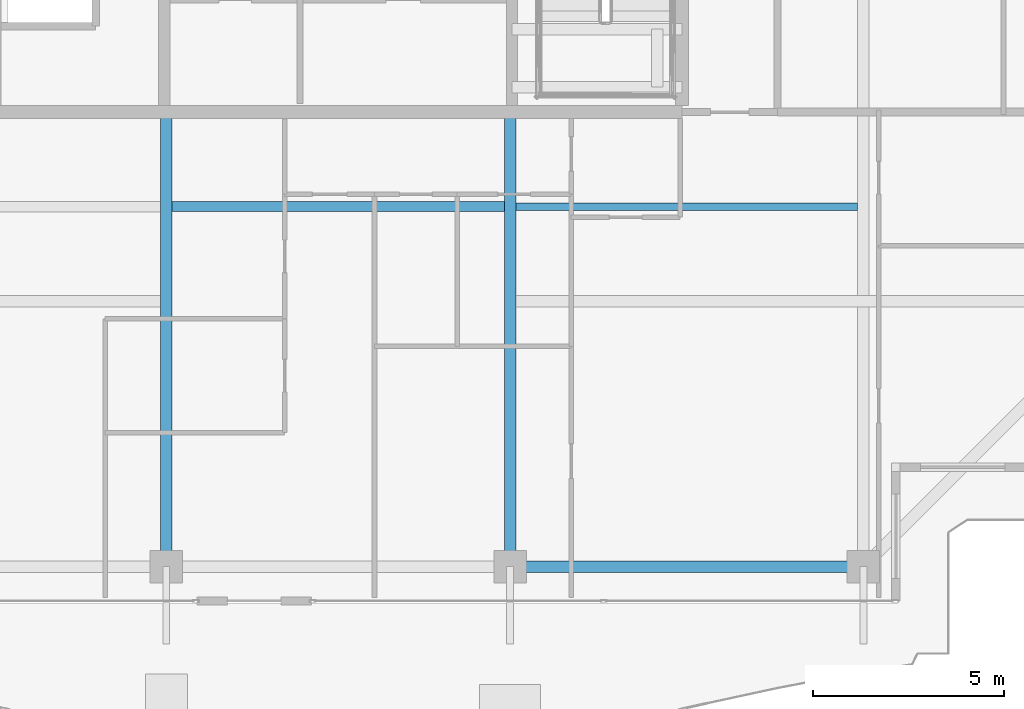
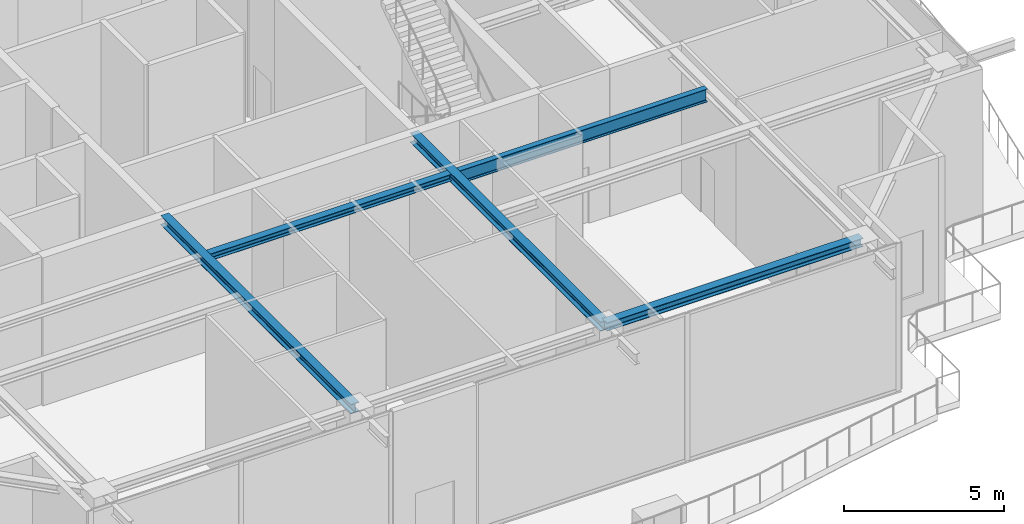
# One storey, part 7 of 38: 5 beams.
"""IFC4 building model written with IfcOpenShell, lengths in metres."""

from ifc_helpers import new_model, si_unit, direction, frame, origin, origin_2d, place, context, subcontext, project, spatial, i_section, extrude, source, transform, mapped, material, material_profile, profile_set, type_object, element, save


model = new_model("IFC4")

# Units and contexts
model_context = context("Model", 3, precision=1e-05, world=origin(), true_north=direction((0.0, 1.0)))
body_context = subcontext(model_context, "Body", "Model", "MODEL_VIEW")
ifc_project = project(units=[si_unit("LENGTHUNIT", "METRE"), si_unit("AREAUNIT", "SQUARE_METRE"), si_unit("VOLUMEUNIT", "CUBIC_METRE"), si_unit("PLANEANGLEUNIT", "RADIAN"), si_unit("MASSUNIT", "GRAM", prefix="KILO")], contexts=[model_context])

# Site, building, storey
site_placement = place(None, origin())
site = spatial("IfcSite", under=ifc_project, at=site_placement, CompositionType="ELEMENT")
building_placement = place(site_placement, origin())
building = spatial("IfcBuilding", under=site, at=building_placement, Name="Serunith Strait Residences", CompositionType="ELEMENT")
storey_placement = place(building_placement, frame((0.0, 0.0, 342.050048828125)))
storey = spatial("IfcBuildingStorey", under=building, at=storey_placement, Name="L85", CompositionType="ELEMENT", Elevation=342.050048828125)

# Beams
ifc_material = material(Name="Steel S355J2", Category="steel")
ifc_material_profile_1 = material_profile(ifc_material, i_section(OverallWidth=0.260009765625, OverallDepth=0.260009765625, WebThickness=0.010009765625, FlangeThickness=0.017578125, FilletRadius=0.02392578125, at=origin_2d()), Name="HEB 260")
ifc_profile_set_1 = profile_set([ifc_material_profile_1], Name="Steel S355J2")
beam_type_1 = type_object("IfcBeamType", Name="BM-HEB260", PredefinedType="JOIST", material=ifc_profile_set_1)
shared_shape_1 = source(origin(), body_context, "Body", "SweptSolid", [
    extrude(i_section(OverallWidth=0.260009765625, OverallDepth=0.260009765625, WebThickness=0.010009765625, FlangeThickness=0.017578125, FilletRadius=0.02392578125, at=origin_2d()), origin(), (0.0, 0.0, 1.0), 8.699951171875),
])
beam_1_placement = place(storey_placement, frame((28.050048828125, 14.324951171875, 5.5068359375), z_axis=(1.0, 0.0, 0.0), x_axis=(0.0, 1.0, 0.0)))
element("IfcBeam", 1, at=beam_1_placement, inside=storey, type_object=beam_type_1, Name="L85 Composite Floor Joist 02", PredefinedType="JOIST", context=body_context, shape_type="MappedRepresentation", body=[
    mapped(shared_shape_1, transform((0.0, 0.0, 0.0), scale=1.0)),
])
ifc_material_profile_2 = material_profile(ifc_material, i_section(OverallWidth=0.300048828125, OverallDepth=0.360107421875, WebThickness=0.012451171875, FlangeThickness=0.0224609375, FilletRadius=0.027099609375, at=origin_2d()), Name="HEB 360")
ifc_profile_set_2 = profile_set([ifc_material_profile_2], Name="Steel S355J2")
beam_type_2 = type_object("IfcBeamType", Name="BM-HEB360", PredefinedType="BEAM", material=ifc_profile_set_2)
shared_shape_2 = source(origin(), body_context, "Body", "SweptSolid", [
    extrude(i_section(OverallWidth=0.300048828125, OverallDepth=0.360107421875, WebThickness=0.012451171875, FlangeThickness=0.0224609375, FilletRadius=0.027099609375, at=origin_2d()), origin(), (0.0, 0.0, 1.0), 11.900146484375),
])
for number, where, z_axis, x_axis, name in (
    (2, (27.89990234375, 16.800048828125, 5.45703125), (0.0, -1.0, 0.0), (1.0, 0.0, 0.0), "L85 Primary Floor Girder TC-S2"),
    (3, (36.89990234375, 16.800048828125, 5.45703125), (0.0, -1.0, 0.0), (1.0, 0.0, 0.0), "L85 Primary Floor Girder TC-S3"),
):
    element("IfcBeam", number, at=place(storey_placement, frame(where, z_axis=z_axis, x_axis=x_axis)), inside=storey, type_object=beam_type_2, Name=name, PredefinedType="BEAM", context=body_context, shape_type="MappedRepresentation", body=[
        mapped(shared_shape_2, transform((0.0, 0.0, 0.0), scale=1.0)),
    ])
ifc_material_profile_3 = material_profile(ifc_material, i_section(OverallWidth=0.300048828125, OverallDepth=0.320068359375, WebThickness=0.011474609375, FlangeThickness=0.0205078125, FilletRadius=0.027099609375, at=origin_2d()), Name="HEB 320")
ifc_profile_set_3 = profile_set([ifc_material_profile_3], Name="Steel S355J2")
beam_type_3 = type_object("IfcBeamType", Name="BM-HEB320", PredefinedType="BEAM", material=ifc_profile_set_3)
shared_shape_3 = source(origin(), body_context, "Body", "SweptSolid", [
    extrude(i_section(OverallWidth=0.300048828125, OverallDepth=0.320068359375, WebThickness=0.011474609375, FlangeThickness=0.0205078125, FilletRadius=0.027099609375, at=origin_2d()), origin(), (0.0, 0.0, 1.0), 9.25),
])
beam_2_placement = place(storey_placement, frame((36.89990234375, 4.89990234375, 5.47705078125), z_axis=(1.0, 0.0, 0.0), x_axis=(0.0, 1.0, 0.0)))
element("IfcBeam", 4, at=beam_2_placement, inside=storey, type_object=beam_type_3, Name="L85 Perimeter Ring Beam 03", PredefinedType="BEAM", context=body_context, shape_type="MappedRepresentation", body=[
    mapped(shared_shape_3, transform((0.0, 0.0, 0.0), scale=1.0)),
])
ifc_material_profile_4 = material_profile(ifc_material, i_section(OverallWidth=0.199951171875, OverallDepth=0.5, WebThickness=0.01025390625, FlangeThickness=0.01611328125, FilletRadius=0.02099609375, at=origin_2d()), Name="IPE 500")
ifc_profile_set_4 = profile_set([ifc_material_profile_4], Name="Steel S355J2")
beam_type_4 = type_object("IfcBeamType", Name="BM-IPE500", PredefinedType="JOIST", material=ifc_profile_set_4)
shared_shape_4 = source(origin(), body_context, "Body", "SweptSolid", [
    extrude(i_section(OverallWidth=0.199951171875, OverallDepth=0.5, WebThickness=0.01025390625, FlangeThickness=0.01611328125, FilletRadius=0.02099609375, at=origin_2d()), origin(), (0.0, 0.0, 1.0), 8.949951171875),
])
beam_3_placement = place(storey_placement, frame((37.050048828125, 14.324951171875, 5.386962890625), z_axis=(1.0, 0.0, 0.0), x_axis=(0.0, 1.0, 0.0)))
element("IfcBeam", 5, at=beam_3_placement, inside=storey, type_object=beam_type_4, Name="L85 Composite Floor Joist 03", PredefinedType="JOIST", context=body_context, shape_type="MappedRepresentation", body=[
    mapped(shared_shape_4, transform((0.0, 0.0, 0.0), scale=1.0)),
])

save(model, "model.ifc")
